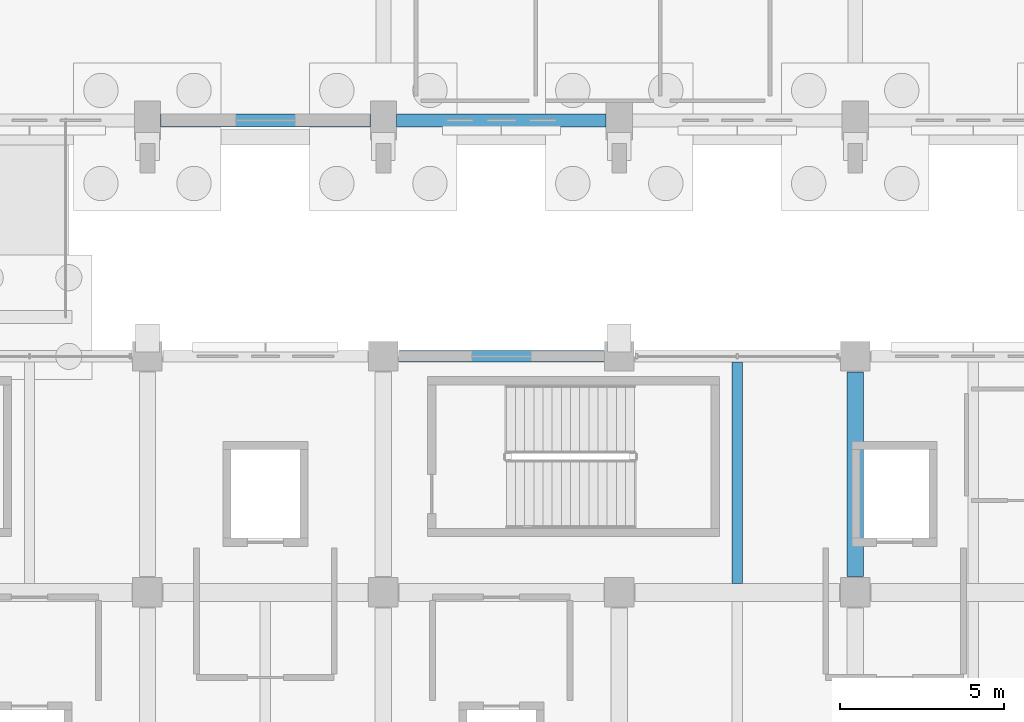
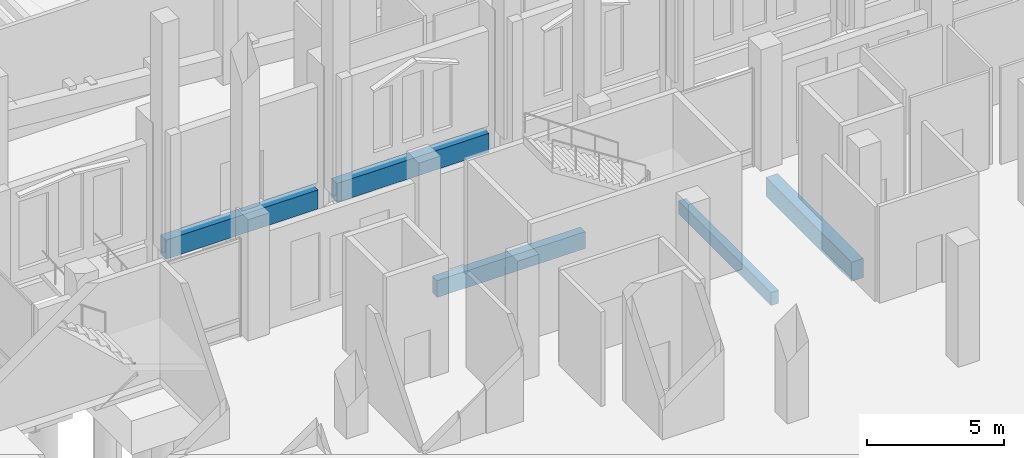
# One storey, part 94 of 192: 5 beams.
"""IFC4 building model written with IfcOpenShell, lengths in metres."""

from ifc_helpers import new_model, si_unit, direction, frame, origin, origin_2d, place, context, subcontext, project, spatial, rectangle, extrude, material, material_profile, profile_set, type_object, element, save


model = new_model("IFC4")

# Units and contexts
model_context = context("Model", 3, precision=1e-05, world=origin(), true_north=direction((0.0, 1.0)))
body_context = subcontext(model_context, "Body", "Model", "MODEL_VIEW")
ifc_project = project(units=[si_unit("LENGTHUNIT", "METRE"), si_unit("AREAUNIT", "SQUARE_METRE"), si_unit("VOLUMEUNIT", "CUBIC_METRE"), si_unit("PLANEANGLEUNIT", "RADIAN"), si_unit("MASSUNIT", "GRAM", prefix="KILO")], contexts=[model_context])

# Site, building, storey
site_placement = place(None, origin())
site = spatial("IfcSite", under=ifc_project, at=site_placement, CompositionType="ELEMENT")
building_placement = place(site_placement, origin())
building = spatial("IfcBuilding", under=site, at=building_placement, Name="Cendralis Lancet Convention Centre", CompositionType="ELEMENT")
storey_placement = place(building_placement, origin())
storey = spatial("IfcBuildingStorey", under=building, at=storey_placement, Name="L00", CompositionType="ELEMENT", Elevation=0.0)

# Beams
ifc_material_1 = material(Name="Concrete G35 (C35/45)", Category="concrete")
ifc_material_profile_1 = material_profile(ifc_material_1, rectangle(XDim=0.5, YDim=0.85009765625, at=origin_2d()), Name="RCB 500x850")
ifc_profile_set_1 = profile_set([ifc_material_profile_1], Name="Concrete G35 (C35/45)")
beam_type_1 = type_object("IfcBeamType", Name="STR-BM-BG08", PredefinedType="BEAM", material=ifc_profile_set_1)
beam_1_placement = place(storey_placement, frame((182.39990234375, 29.27490234375, -0.7451171875), z_axis=(0.0, 1.0, 0.0), x_axis=(-1.0, 0.0, 0.0)))
element("IfcBeam", 1, at=beam_1_placement, inside=storey, type_object=beam_type_1, Name="L00 Beam BG08 #0080", PredefinedType="BEAM", context=body_context, shape_type="SweptSolid", body=[
    extrude(rectangle(XDim=0.5, YDim=0.85009765625, at=origin_2d()), origin(), (0.0, 0.0, 1.0), 6.25),
])
ifc_material_profile_2 = material_profile(ifc_material_1, rectangle(XDim=0.320068359375, YDim=0.580078125, at=origin_2d()), Name="RCB 320x580")
ifc_profile_set_2 = profile_set([ifc_material_profile_2], Name="Concrete G35 (C35/45)")
beam_type_2 = type_object("IfcBeamType", Name="STR-JS-BJ01", PredefinedType="JOIST", material=ifc_profile_set_2)
beam_2_placement = place(storey_placement, frame((178.800048828125, 29.074951171875, -0.610107421875), z_axis=(0.0, 1.0, 0.0), x_axis=(-1.0, 0.0, 0.0)))
element("IfcBeam", 2, at=beam_2_placement, inside=storey, type_object=beam_type_2, Name="L00 Beam BJ01 #0115", PredefinedType="JOIST", context=body_context, shape_type="SweptSolid", body=[
    extrude(rectangle(XDim=0.320068359375, YDim=0.580078125, at=origin_2d()), origin(), (0.0, 0.0, 1.0), 6.75),
])
ifc_material_2 = material(Name="Concrete G40 (C40/50)", Category="concrete")
ifc_material_profile_3 = material_profile(ifc_material_2, rectangle(XDim=0.35009765625, YDim=0.75, at=origin_2d()), Name="RCB 350x750")
ifc_profile_set_3 = profile_set([ifc_material_profile_3], Name="Concrete G40 (C40/50)")
beam_type_3 = type_object("IfcBeamType", Name="STR-SP-SP01", PredefinedType="SPANDREL", material=ifc_profile_set_3)
beam_3_placement = place(storey_placement, frame((168.47509765625, 36.0, -0.695068359375), z_axis=(1.0, 0.0, 0.0), x_axis=(0.0, 1.0, 0.0)))
element("IfcBeam", 3, at=beam_3_placement, inside=storey, type_object=beam_type_3, Name="L00 Beam SP01 #0046", PredefinedType="SPANDREL", context=body_context, shape_type="SweptSolid", body=[
    extrude(rectangle(XDim=0.35009765625, YDim=0.75, at=origin_2d()), origin(), (0.0, 0.0, 1.0), 6.25),
])
ifc_material_profile_4 = material_profile(ifc_material_2, rectangle(XDim=0.39990234375, YDim=0.85009765625, at=origin_2d()), Name="RCB 400x850")
ifc_profile_set_4 = profile_set([ifc_material_profile_4], Name="Concrete G40 (C40/50)")
beam_type_4 = type_object("IfcBeamType", Name="STR-SP-SP02", PredefinedType="SPANDREL", material=ifc_profile_set_4)
for number, where, z_axis, x_axis, name in (
    (4, (161.199951171875, 43.199951171875, -0.7451171875), (1.0, 0.0, 0.0), (0.0, 1.0, 0.0), "L00 Beam SP02 #1340"),
    (5, (168.39990234375, 43.199951171875, -0.7451171875), (1.0, 0.0, 0.0), (0.0, 1.0, 0.0), "L00 Beam SP02 #1341"),
):
    element("IfcBeam", number, at=place(storey_placement, frame(where, z_axis=z_axis, x_axis=x_axis)), inside=storey, type_object=beam_type_4, Name=name, PredefinedType="SPANDREL", context=body_context, shape_type="SweptSolid", body=[
        extrude(rectangle(XDim=0.39990234375, YDim=0.85009765625, at=origin_2d()), origin(), (0.0, 0.0, 1.0), 6.400146484375),
    ])

save(model, "model.ifc")
